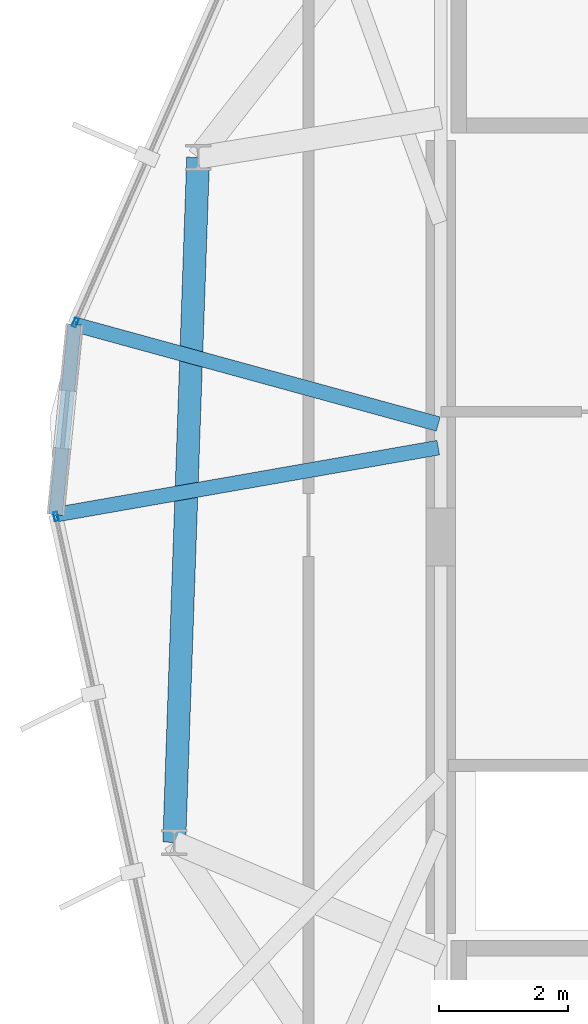
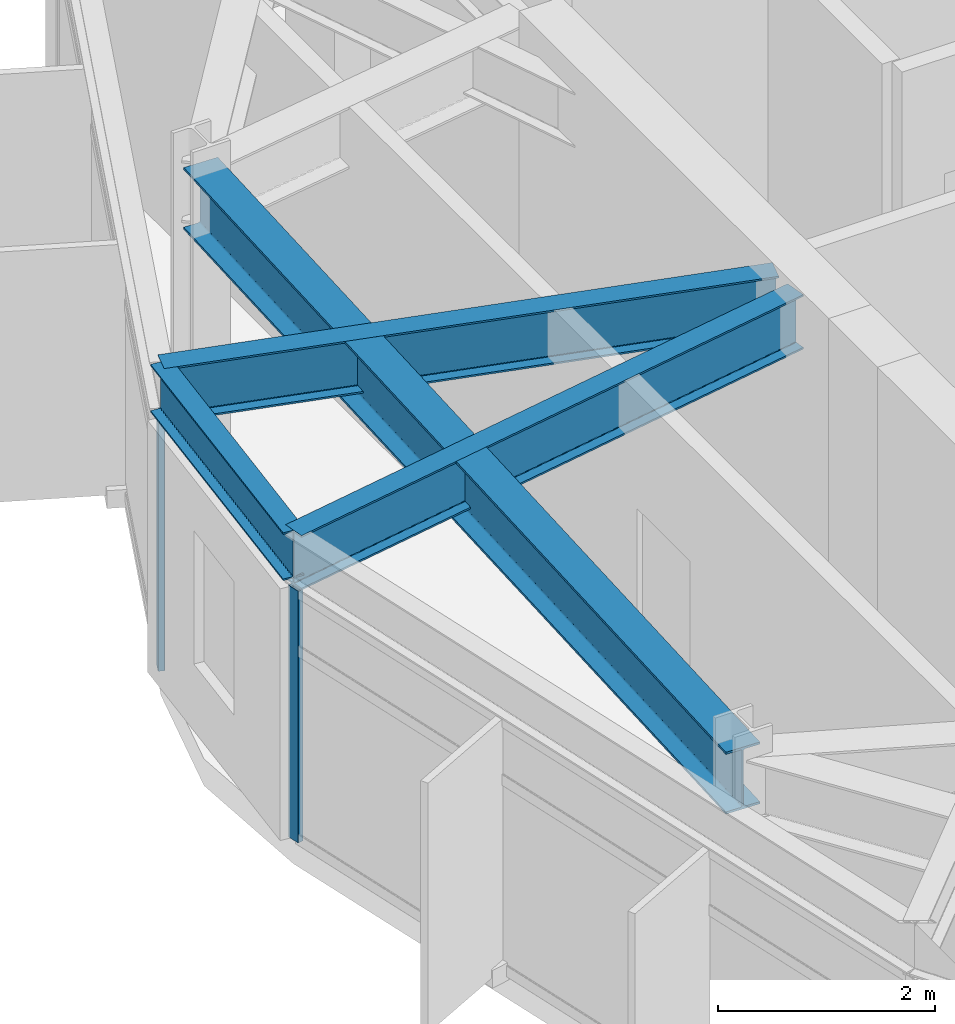
# One storey, part 9 of 25: 4 beams, 2 members, 2 elements without a shape of their own.
"""IFC4 building model written with IfcOpenShell, lengths in metres."""

from ifc_helpers import new_model, si_unit, direction, frame, origin, origin_2d, place, context, subcontext, project, spatial, hollow_rectangle, i_section, extrude, material, layer, layer_set, material_profile, profile_set, type_object, element, aggregate, save


model = new_model("IFC4")

# Units and contexts
model_context = context("Model", 3, precision=1e-05, world=origin(), true_north=direction((0.0, 1.0)))
body_context = subcontext(model_context, "Body", "Model", "MODEL_VIEW")
ifc_project = project(units=[si_unit("LENGTHUNIT", "METRE"), si_unit("AREAUNIT", "SQUARE_METRE"), si_unit("VOLUMEUNIT", "CUBIC_METRE"), si_unit("PLANEANGLEUNIT", "RADIAN"), si_unit("MASSUNIT", "GRAM", prefix="KILO")], contexts=[model_context])

# Site, building, storey
site_placement = place(None, origin())
site = spatial("IfcSite", under=ifc_project, at=site_placement, CompositionType="ELEMENT")
building_placement = place(site_placement, origin())
building = spatial("IfcBuilding", under=site, at=building_placement, Name="Soratama Intermodal Tower", CompositionType="ELEMENT")
storey_placement = place(building_placement, frame((0.0, 0.0, 276.25)))
storey = spatial("IfcBuildingStorey", under=building, at=storey_placement, Name="L70", CompositionType="ELEMENT", Elevation=276.25)

# Beams
ifc_material_1 = material(Name="Structural steel ASTM A992 Grade 50", Category="steel")
ifc_material_profile_1 = material_profile(ifc_material_1, i_section(OverallWidth=0.35498046875, OverallDepth=0.695068359375, WebThickness=0.015380859375, FlangeThickness=0.02490234375, FilletRadius=0.01611328125, at=origin_2d()), Name="W27X146")
ifc_profile_set_1 = profile_set([ifc_material_profile_1], Name="Structural steel ASTM A992 Grade 50")
beam_type_1 = type_object("IfcBeamType", Name="BM-RING-W27X146", PredefinedType="BEAM", material=ifc_profile_set_1)
beam_1_placement = place(storey_placement, frame((28.8369140625, 30.883056640625, 3.1025390625), z_axis=(-0.034885453879, -0.999391317307, 0.0), x_axis=(0.999391317307, -0.034885453879, 0.0)))
element("IfcBeam", 1, at=beam_1_placement, inside=storey, type_object=beam_type_1, Name="BM-L70-RING-05", PredefinedType="BEAM", context=body_context, shape_type="SweptSolid", body=[
    extrude(i_section(OverallWidth=0.35498046875, OverallDepth=0.695068359375, WebThickness=0.015380859375, FlangeThickness=0.02490234375, FilletRadius=0.01611328125, at=origin_2d()), origin(), (0.0, 0.0, 1.0), 10.630615234375),
])
ifc_material_2 = material(Name="Structural steel ASTM A992 Grade 50", Category="steel")
ifc_material_profile_2 = material_profile(ifc_material_2, i_section(OverallWidth=0.2099609375, OverallDepth=0.537109375, WebThickness=0.010986328125, FlangeThickness=0.017333984375, FilletRadius=0.012939453125, at=origin_2d()), Name="W21X68")
ifc_profile_set_2 = profile_set([ifc_material_profile_2], Name="Structural steel ASTM A992 Grade 50")
beam_type_2 = type_object("IfcBeamType", Name="BM-SPN-W21X68", PredefinedType="SPANDREL", material=ifc_profile_set_2)
beam_2_placement = place(storey_placement, frame((26.919921875, 28.294921875, 3.181396484375), z_axis=(-0.099414088841, -0.995046149151, 0.0), x_axis=(0.995046149151, -0.099414088841, 0.0)))
element("IfcBeam", 2, at=beam_2_placement, inside=storey, type_object=beam_type_2, Name="BS-L70-CRN03", PredefinedType="SPANDREL", context=body_context, shape_type="SweptSolid", body=[
    extrude(i_section(OverallWidth=0.2099609375, OverallDepth=0.537109375, WebThickness=0.010986328125, FlangeThickness=0.017333984375, FilletRadius=0.012939453125, at=origin_2d()), origin(), (0.0, 0.0, 1.0), 2.966552734375),
])
ifc_material_3 = material(Name="Structural steel ASTM A992 Grade 50", Category="steel")
ifc_material_profile_3 = material_profile(ifc_material_3, i_section(OverallWidth=0.22900390625, OverallDepth=0.612060546875, WebThickness=0.011962890625, FlangeThickness=0.01953125, FilletRadius=0.012939453125, at=origin_2d()), Name="W24X84")
ifc_profile_set_3 = profile_set([ifc_material_profile_3], Name="Structural steel ASTM A992 Grade 50")
beam_type_3 = type_object("IfcBeamType", Name="BM-TIE-W24X84", PredefinedType="BEAM", material=ifc_profile_set_3)
beam_3_placement = place(storey_placement, frame((32.56103515625, 26.7490234375, 3.14404296875), z_axis=(-0.964441382002, 0.264296841982, 0.0), x_axis=(-0.264296841982, -0.964441382002, 0.0)))
element("IfcBeam", 3, at=beam_3_placement, inside=storey, type_object=beam_type_3, Name="BM-L70-TIE1-03", PredefinedType="BEAM", context=body_context, shape_type="SweptSolid", body=[
    extrude(i_section(OverallWidth=0.22900390625, OverallDepth=0.612060546875, WebThickness=0.011962890625, FlangeThickness=0.01953125, FilletRadius=0.012939453125, at=origin_2d()), origin(), (0.0, 0.0, 1.0), 5.84912109375),
])
beam_4_placement = place(storey_placement, frame((32.56103515625, 26.383056640625, 3.14404296875), z_axis=(-0.984995709005, -0.172578831964, 0.0), x_axis=(0.172578831964, -0.984995709005, 0.0)))
element("IfcBeam", 4, at=beam_4_placement, inside=storey, type_object=beam_type_3, Name="BM-L70-TIE0-04", PredefinedType="BEAM", context=body_context, shape_type="SweptSolid", body=[
    extrude(i_section(OverallWidth=0.22900390625, OverallDepth=0.612060546875, WebThickness=0.011962890625, FlangeThickness=0.01953125, FilletRadius=0.012939453125, at=origin_2d()), origin(), (0.0, 0.0, 1.0), 6.0263671875),
])

# Curtain wall, member
ifc_material_4 = material(Name="Double-glazed aluminium curtain wall", Category="aluminium")
ifc_layer = layer(ifc_material_4, 0.159912109375)
ifc_layer_set = layer_set([ifc_layer], Name="Double-glazed aluminium curtain wall")
curtain_wall_type = type_object("IfcCurtainWallType", Name="CW-SYS-5", PredefinedType="NOTDEFINED", material=ifc_layer_set)
curtain_wall_1_placement = place(storey_placement, origin())
curtain_wall_1 = element("IfcCurtainWall", 5, at=curtain_wall_1_placement, inside=storey, type_object=curtain_wall_type, Name="L70 Faceted Curtain Wall F03", PredefinedType="NOTDEFINED")
ifc_material_5 = material(Name="Anodised aluminium AA 6063-T6", Category="aluminium")
ifc_material_profile_4 = material_profile(ifc_material_5, hollow_rectangle(XDim=0.06494140625, YDim=0.139892578125, WallThickness=0.0048828125, InnerFilletRadius=0.0048828125, OuterFilletRadius=0.010009765625, at=origin_2d()), Name="CWM140X65X5")
ifc_profile_set_4 = profile_set([ifc_material_profile_4], Name="Anodised aluminium AA 6063-T6")
member_type = type_object("IfcMemberType", Name="MT-CWM-5", PredefinedType="MULLION", material=ifc_profile_set_4)
member_1_placement = place(storey_placement, frame((26.931884765625, 28.32275390625, 0.0), z_axis=(0.0, 0.0, 1.0), x_axis=(0.915660611945, -0.401952290369, 0.0)))
member_1 = element("IfcMember", 6, at=member_1_placement, type_object=member_type, Name="CW-5 mullion 2", PredefinedType="MULLION", context=body_context, shape_type="SweptSolid", body=[
    extrude(hollow_rectangle(XDim=0.06494140625, YDim=0.139892578125, WallThickness=0.0048828125, InnerFilletRadius=0.0048828125, OuterFilletRadius=0.010009765625, at=origin_2d()), origin(), (0.0, 0.0, 1.0), 2.8291015625),
])
aggregate(curtain_wall_1, [member_1])

curtain_wall_2_placement = place(storey_placement, origin())
curtain_wall_2 = element("IfcCurtainWall", 7, at=curtain_wall_2_placement, inside=storey, type_object=curtain_wall_type, Name="L70 Faceted Curtain Wall F04", PredefinedType="NOTDEFINED")
member_2_placement = place(storey_placement, frame((26.631591796875, 25.314208984375, 0.0), z_axis=(0.0, 0.0, 1.0), x_axis=(0.977046001187, 0.213028429004, 0.0)))
member_2 = element("IfcMember", 8, at=member_2_placement, type_object=member_type, Name="CW-5 mullion 1", PredefinedType="MULLION", context=body_context, shape_type="SweptSolid", body=[
    extrude(hollow_rectangle(XDim=0.06494140625, YDim=0.139892578125, WallThickness=0.0048828125, InnerFilletRadius=0.0048828125, OuterFilletRadius=0.010009765625, at=origin_2d()), origin(), (0.0, 0.0, 1.0), 2.8291015625),
])
aggregate(curtain_wall_2, [member_2])

save(model, "model.ifc")
